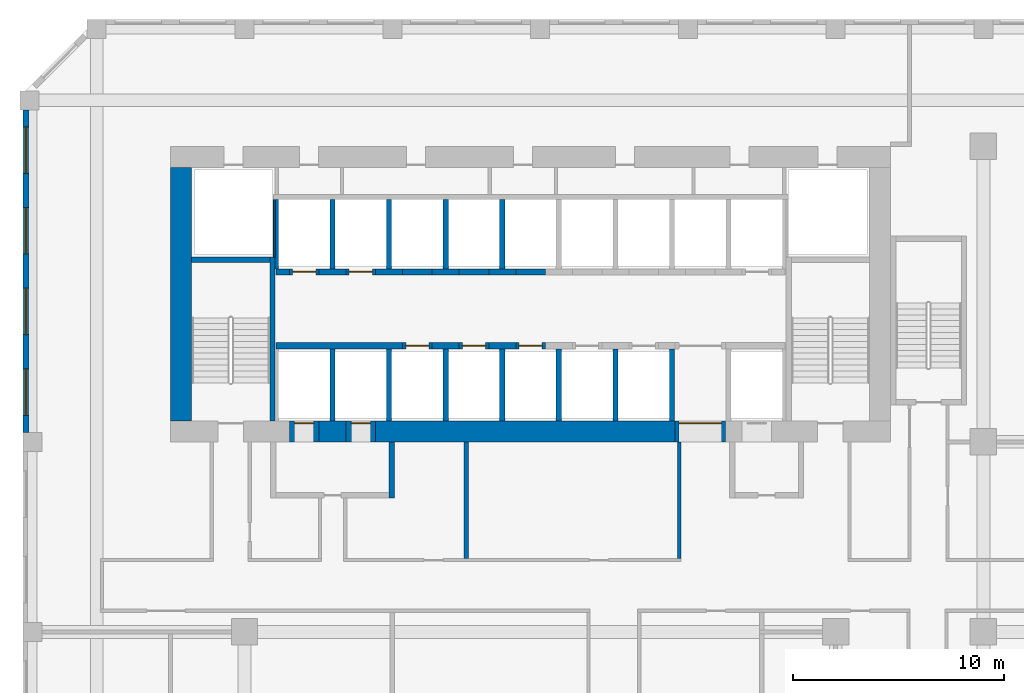
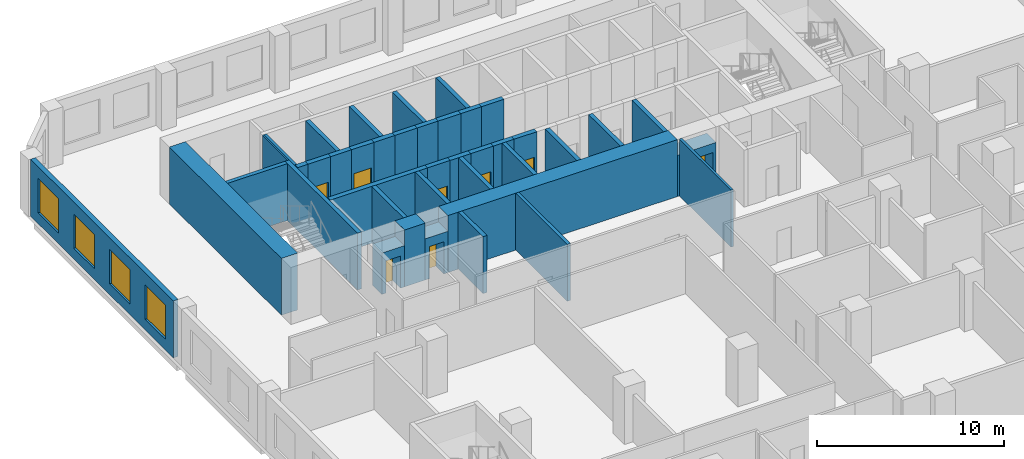
# One storey, part 15 of 28: 41 walls, 8 doors, 4 windows, 12 openings.
"""IFC4 building model written with IfcOpenShell, lengths in metres."""

import ifcopenshell
import ifcopenshell.guid

model = None  # the IFC model being written
_history = None  # IfcOwnerHistory: only IFC2X3 demands one
_inside = {}  # id of a spatial element -> (the spatial element, [elements in it])
_under = {}  # id of a project, library or spatial element -> (it, [spatial elements below it])
_declared = {}  # id of a project -> (the project, [libraries it declares])
_typed = {}  # id of a type object -> (the type object, [elements of that type])
_made_of = {}  # id of a material, layer set ... -> (it, [elements and type objects made of it])


def new_model(schema):
    """Start an empty IFC model of exactly this schema.

    Asked for "IFC4X3", IfcOpenShell would pick the latest addendum, in which some entities
    have other attributes; the version numbers below select the first issue.
    IFC2X3 requires an IfcOwnerHistory on every rooted entity: one is made here for all.
    """
    global model, _history
    if schema == "IFC4X3":
        model = ifcopenshell.file(schema_version=(4, 3, 0, 0))
    else:
        model = ifcopenshell.file(schema=schema)
    _inside.clear()
    _under.clear()
    _declared.clear()
    _typed.clear()
    _made_of.clear()
    _history = None
    if model.schema == "IFC2X3":
        org = make("IfcOrganization", Name="unknown")
        user = make(
            "IfcPersonAndOrganization",
            ThePerson=make("IfcPerson", FamilyName="unknown"),
            TheOrganization=org,
        )
        app = make(
            "IfcApplication",
            ApplicationDeveloper=org,
            Version="unknown",
            ApplicationFullName="unknown",
            ApplicationIdentifier="unknown",
        )
        _history = make(
            "IfcOwnerHistory",
            OwningUser=user,
            OwningApplication=app,
            ChangeAction="ADDED",
            CreationDate=0,
        )
    return model


def make(cls, **values):
    """One entity of the class cls with the attributes given. An attribute that is None is left unset."""
    return model.create_entity(
        cls, **{name: value for name, value in values.items() if value is not None}
    )


def rooted(cls, **values):
    """An entity with a GlobalId (a new one), such as an element, a storey or a relation."""
    return make(cls, GlobalId=ifcopenshell.guid.new(), OwnerHistory=_history, **values)


def si_unit(unit_type, name, prefix=None):
    """IfcSIUnit, for example si_unit("LENGTHUNIT", "METRE", prefix="MILLI")."""
    return make("IfcSIUnit", UnitType=unit_type, Prefix=prefix, Name=name)


def assignment(units):
    """IfcUnitAssignment: the units of a project."""
    return None if units is None else make("IfcUnitAssignment", Units=units)


def point(xyz):
    """IfcCartesianPoint."""
    return None if xyz is None else make("IfcCartesianPoint", Coordinates=xyz)


def direction(xyz):
    """IfcDirection."""
    return None if xyz is None else make("IfcDirection", DirectionRatios=xyz)


def frame(location, z_axis=None, x_axis=None):
    """IfcAxis2Placement3D, a coordinate frame: its origin and axes. An axis left out is left unset."""
    return make(
        "IfcAxis2Placement3D",
        Location=point(location),
        Axis=direction(z_axis),
        RefDirection=direction(x_axis),
    )


def frame_2d(location, x_axis=None):
    """IfcAxis2Placement2D, a coordinate frame in the plane: its origin and x axis."""
    return make(
        "IfcAxis2Placement2D", Location=point(location), RefDirection=direction(x_axis)
    )


def origin():
    """The frame at (0, 0, 0) with its axes left unset."""
    return frame((0.0, 0.0, 0.0))


def place(relative_to, where):
    """IfcLocalPlacement: puts the frame where relative to a parent placement (None: the world)."""
    return make(
        "IfcLocalPlacement", PlacementRelTo=relative_to, RelativePlacement=where
    )


def context(
    kind, dimensions, precision=None, world=None, true_north=None, identifier=None
):
    """IfcGeometricRepresentationContext, for example the 3D "Model" context."""
    return make(
        "IfcGeometricRepresentationContext",
        ContextIdentifier=identifier,
        ContextType=kind,
        CoordinateSpaceDimension=dimensions,
        Precision=precision,
        WorldCoordinateSystem=world,
        TrueNorth=true_north,
    )


def subcontext(parent, identifier, kind, view, scale=None):
    """IfcGeometricRepresentationSubContext, for example "Body" below "Model"."""
    return make(
        "IfcGeometricRepresentationSubContext",
        ContextIdentifier=identifier,
        ContextType=kind,
        ParentContext=parent,
        TargetScale=scale,
        TargetView=view,
    )


def project(units=None, contexts=None):
    """IfcProject with its units and contexts."""
    return rooted(
        "IfcProject",
        Name="project",
        RepresentationContexts=contexts,
        UnitsInContext=assignment(units),
    )


def spatial(cls, under=None, at=None, **own):
    """A site, building, storey or space (cls), placed at a placement, below another one or the project."""
    s = rooted(cls, ObjectPlacement=at, **own)
    if under is not None:
        _under.setdefault(under.id(), (under, []))[1].append(s)
    return s


def profile(cls, at=None, kind="AREA", **sizes):
    """A parametric profile (cls). Its sizes go by their IFC names, for example OverallWidth=200.0."""
    return make(cls, ProfileType=kind, Position=at, **sizes)


def rectangle(**sizes):
    """IfcRectangleProfileDef."""
    return profile("IfcRectangleProfileDef", **sizes)


def extrude(swept, where, along, depth):
    """IfcExtrudedAreaSolid: the profile swept, set in the frame where, extruded along a direction by depth."""
    return make(
        "IfcExtrudedAreaSolid",
        SweptArea=swept,
        Position=where,
        ExtrudedDirection=direction(along),
        Depth=depth,
    )


def shape(context_of_items, identifier, shape_type, items):
    """IfcShapeRepresentation: the items that make up one representation, for example the "Body"."""
    return make(
        "IfcShapeRepresentation",
        ContextOfItems=context_of_items,
        RepresentationIdentifier=identifier,
        RepresentationType=shape_type,
        Items=items,
    )


def source(mapping_origin, context_of_items, identifier, shape_type, items):
    """IfcRepresentationMap: a shape defined once, which mapped items show again and again."""
    return make(
        "IfcRepresentationMap",
        MappingOrigin=mapping_origin,
        MappedRepresentation=shape(context_of_items, identifier, shape_type, items),
    )


def transform(
    local_origin,
    x_axis=None,
    y_axis=None,
    z_axis=None,
    scale=None,
    scale2=None,
    scale3=None,
    uniform=True,
):
    """IfcCartesianTransformationOperator3D, or its non-uniform kind. x_axis, y_axis, z_axis: its Axis1, 2, 3."""
    if uniform:
        return make(
            "IfcCartesianTransformationOperator3D",
            Axis1=direction(x_axis),
            Axis2=direction(y_axis),
            LocalOrigin=point(local_origin),
            Scale=scale,
            Axis3=direction(z_axis),
        )
    return make(
        "IfcCartesianTransformationOperator3DnonUniform",
        Axis1=direction(x_axis),
        Axis2=direction(y_axis),
        LocalOrigin=point(local_origin),
        Scale=scale,
        Axis3=direction(z_axis),
        Scale2=scale2,
        Scale3=scale3,
    )


def mapped(mapping_source, mapping_target):
    """IfcMappedItem: shows the shape of a source again, moved by a transform."""
    return make(
        "IfcMappedItem", MappingSource=mapping_source, MappingTarget=mapping_target
    )


def material(Name=None, Category=None):
    """IfcMaterial."""
    return make("IfcMaterial", Name=Name, Category=Category)


def layer(
    of_material, thickness, ventilated=None, Name=None, Category=None, Priority=None
):
    """IfcMaterialLayer: one layer of a wall or slab, of a material (None: an air gap)."""
    return make(
        "IfcMaterialLayer",
        Material=of_material,
        LayerThickness=thickness,
        IsVentilated=ventilated,
        Name=Name,
        Category=Category,
        Priority=Priority,
    )


def layer_set(layers, Name=None):
    """IfcMaterialLayerSet."""
    return make("IfcMaterialLayerSet", MaterialLayers=layers, LayerSetName=Name)


def made_of(thing, what):
    """Note that an element or type object is made of a material, layer set ...; save() writes the relation."""
    if what is not None:
        _made_of.setdefault(what.id(), (what, []))[1].append(thing)
    return thing


def type_object(cls, material=None, **own):
    """A type object (cls), such as IfcWallType, which elements share."""
    return made_of(rooted(cls, **own), material)


def element(
    cls,
    number,
    at=None,
    inside=None,
    cuts=None,
    type_object=None,
    material=None,
    context=None,
    identifier="Body",
    shape_type=None,
    held_by="IfcProductDefinitionShape",
    body=None,
    shapes=None,
    **own,
):
    """One element of the class cls, such as IfcWall. Its Tag is "e" and its number.

    at: its placement. inside: the storey or other place that contains it. cuts: it is an
    opening in that element (IfcRelVoidsElement). A single representation is given by context,
    identifier, shape_type and body (its items); several are given by shapes. held_by: the class
    of the entity that holds the representations. save() writes the other relations.
    """
    e = rooted(cls, Tag="e%d" % number, ObjectPlacement=at, **own)
    if body is not None:
        shapes = [shape(context, identifier, shape_type, body)]
    if shapes is not None:
        e.Representation = make(held_by, Representations=shapes)
    if inside is not None:
        _inside.setdefault(inside.id(), (inside, []))[1].append(e)
    if cuts is not None:
        rooted(
            "IfcRelVoidsElement", RelatingBuildingElement=cuts, RelatedOpeningElement=e
        )
    if type_object is not None:
        _typed.setdefault(type_object.id(), (type_object, []))[1].append(e)
    return made_of(e, material)


def fill(opening, filler):
    """IfcRelFillsElement: the door or window that sits in an opening."""
    return rooted(
        "IfcRelFillsElement",
        RelatingOpeningElement=opening,
        RelatedBuildingElement=filler,
    )


def aggregate(whole, parts):
    """IfcRelAggregates: a whole, such as a stair, and the parts it consists of."""
    return rooted("IfcRelAggregates", RelatingObject=whole, RelatedObjects=parts)


def save(model, path):
    """Write the relations noted so far, then the file.

    IfcRelAggregates (storeys below a building ...), IfcRelContainedInSpatialStructure (elements
    in a storey), IfcRelDefinesByType, IfcRelAssociatesMaterial and IfcRelDeclares: one each for
    every whole, place, type object, material and project.
    """
    for whole, parts in _under.values():
        aggregate(whole, parts)
    for where, things in _inside.values():
        rooted(
            "IfcRelContainedInSpatialStructure",
            RelatedElements=things,
            RelatingStructure=where,
        )
    for kind, things in _typed.values():
        rooted("IfcRelDefinesByType", RelatedObjects=things, RelatingType=kind)
    for what, things in _made_of.values():
        rooted("IfcRelAssociatesMaterial", RelatedObjects=things, RelatingMaterial=what)
    for by, libraries in _declared.values():
        rooted("IfcRelDeclares", RelatingContext=by, RelatedDefinitions=libraries)
    model.write(path)


model = new_model("IFC4")

# Units and contexts
model_context = context("Model", 3, precision=1e-05, world=origin(), true_north=direction((0.0, 1.0)))
body_context = subcontext(model_context, "Body", "Model", "MODEL_VIEW")
ifc_project = project(units=[si_unit("LENGTHUNIT", "METRE"), si_unit("AREAUNIT", "SQUARE_METRE"), si_unit("VOLUMEUNIT", "CUBIC_METRE"), si_unit("PLANEANGLEUNIT", "RADIAN"), si_unit("MASSUNIT", "GRAM", prefix="KILO")], contexts=[model_context])

# Site, building, storey
site_placement = place(None, origin())
site = spatial("IfcSite", under=ifc_project, at=site_placement, CompositionType="ELEMENT")
building_placement = place(site_placement, origin())
building = spatial("IfcBuilding", under=site, at=building_placement, Name="Kilnfold Tower and Market Hall", CompositionType="ELEMENT")
storey_placement = place(building_placement, frame((0.0, 0.0, 87.199951171875)))
storey = spatial("IfcBuildingStorey", under=building, at=storey_placement, Name="L20", CompositionType="ELEMENT", Elevation=87.199951171875)

# Walls
ifc_material_1 = material(Name="Gypsum board on steel studs", Category="steel")
ifc_layer_1 = layer(ifc_material_1, 0.14990234375)
ifc_layer_set_1 = layer_set([ifc_layer_1], Name="Gypsum board on steel studs")
wall_type_1 = type_object("IfcWallType", Name="WALL CORRIDOR 150", PredefinedType="PARTITIONING", material=ifc_layer_set_1)
wall_1_placement = place(storey_placement, frame((8.090087890625, 8.0, 0.0), z_axis=(0.0, 0.0, 1.0), x_axis=(0.0, -1.0, 0.0)))
element("IfcWall", 1, at=wall_1_placement, inside=storey, type_object=wall_type_1, Name="Partition LY14.18", PredefinedType="PARTITIONING", context=body_context, shape_type="SweptSolid", body=[
    extrude(rectangle(XDim=5.52490234375, YDim=0.14990234375, at=frame_2d((2.762451171875, 0.0))), origin(), (0.0, 0.0, 1.0), 3.719970703125),
])
ifc_material_2 = material(Name="Gypsum board on steel studs", Category="steel")
ifc_layer_2 = layer(ifc_material_2, 0.199951171875)
ifc_layer_set_2 = layer_set([ifc_layer_2], Name="Gypsum board on steel studs")
wall_type_2 = type_object("IfcWallType", Name="WALL PARTY 200", PredefinedType="PARTITIONING", material=ifc_layer_set_2)
wall_2_placement = place(storey_placement, frame((-2.0, 2.47607421875, 0.0), z_axis=(0.0, 0.0, 1.0), x_axis=(0.0, 1.0, 0.0)))
element("IfcWall", 2, at=wall_2_placement, inside=storey, type_object=wall_type_2, Name="Partition LY14.58", PredefinedType="PARTITIONING", context=body_context, shape_type="SweptSolid", body=[
    extrude(rectangle(XDim=5.52392578125, YDim=0.199951171875, at=frame_2d((2.761962890625, 0.0))), origin(), (0.0, 0.0, 1.0), 3.719970703125),
])
ifc_material_3 = material(Name="Concrete C80", Category="concrete")
ifc_layer_3 = layer(ifc_material_3, 1.0)
ifc_layer_set_3 = layer_set([ifc_layer_3], Name="Concrete C80")
wall_type_3 = type_object("IfcWallType", Name="CORE WALL 1000 C80", PredefinedType="SHEAR", material=ifc_layer_set_3)
shared_shape_1 = source(origin(), body_context, "Body", "SweptSolid", [
    extrude(rectangle(XDim=1.280029296875, YDim=1.0, at=frame_2d((0.64013671875, 0.0))), origin(), (0.0, 0.0, 1.0), 3.719970703125),
])
wall_3_placement = place(storey_placement, frame((-8.969970703125, 8.5, 0.0), z_axis=(0.0, 0.0, 1.0), x_axis=(1.0, 0.0, 0.0)))
element("IfcWall", 3, at=wall_3_placement, inside=storey, type_object=wall_type_3, Name="Core outer wall south", PredefinedType="SHEAR", context=body_context, shape_type="MappedRepresentation", body=[
    mapped(shared_shape_1, transform((0.0, 0.0, 0.0))),
])
shared_shape_2 = source(origin(), body_context, "Body", "SweptSolid", [
    extrude(rectangle(XDim=14.179931640625, YDim=1.0, at=frame_2d((7.08984375, 0.0))), origin(), (0.0, 0.0, 1.0), 3.719970703125),
])
wall_4_placement = place(storey_placement, frame((-6.2900390625, 8.5, 0.0), z_axis=(0.0, 0.0, 1.0), x_axis=(1.0, 0.0, 0.0)))
element("IfcWall", 4, at=wall_4_placement, inside=storey, type_object=wall_type_3, Name="Core outer wall south", PredefinedType="SHEAR", context=body_context, shape_type="MappedRepresentation", body=[
    mapped(shared_shape_2, transform((0.0, 0.0, 0.0))),
])
shared_shape_3 = source(origin(), body_context, "Body", "SweptSolid", [
    extrude(rectangle(XDim=12.0, YDim=1.0, at=frame_2d((6.0, 0.0))), origin(), (0.0, 0.0, 1.0), 3.719970703125),
])
wall_5_placement = place(storey_placement, frame((-15.5, 9.0, 0.0), z_axis=(0.0, 0.0, 1.0), x_axis=(0.0, 1.0, 0.0)))
element("IfcWall", 5, at=wall_5_placement, inside=storey, type_object=wall_type_3, Name="Core outer wall west", PredefinedType="SHEAR", context=body_context, shape_type="MappedRepresentation", body=[
    mapped(shared_shape_3, transform((0.0, 0.0, 0.0))),
])
ifc_material_4 = material(Name="Concrete C80", Category="concrete")
ifc_layer_4 = layer(ifc_material_4, 0.25)
ifc_layer_set_4 = layer_set([ifc_layer_4], Name="Concrete C80")
wall_type_4 = type_object("IfcWallType", Name="CORE WALL 250 C80", PredefinedType="SHEAR", material=ifc_layer_set_4)
shared_shape_4 = source(origin(), body_context, "Body", "SweptSolid", [
    extrude(rectangle(XDim=7.75, YDim=0.25, at=frame_2d((3.875, 0.0))), origin(), (0.0, 0.0, 1.0), 3.719970703125),
])
wall_6_placement = place(storey_placement, frame((-11.175048828125, 9.0, 0.0), z_axis=(0.0, 0.0, 1.0), x_axis=(0.0, 1.0, 0.0)))
element("IfcWall", 6, at=wall_6_placement, inside=storey, type_object=wall_type_4, Name="Stair enclosure ST1", PredefinedType="SHEAR", context=body_context, shape_type="MappedRepresentation", body=[
    mapped(shared_shape_4, transform((0.0, 0.0, 0.0))),
])
shared_shape_5 = source(origin(), body_context, "Body", "SweptSolid", [
    extrude(rectangle(XDim=3.699951171875, YDim=0.25, at=frame_2d((1.85009765625, 0.0))), origin(), (0.0, 0.0, 1.0), 3.719970703125),
])
wall_7_placement = place(storey_placement, frame((-15.0, 16.625, 0.0), z_axis=(0.0, 0.0, 1.0), x_axis=(1.0, 0.0, 0.0)))
element("IfcWall", 7, at=wall_7_placement, inside=storey, type_object=wall_type_4, Name="Stair enclosure ST1", PredefinedType="SHEAR", context=body_context, shape_type="MappedRepresentation", body=[
    mapped(shared_shape_5, transform((0.0, 0.0, 0.0))),
])
ifc_material_5 = material(Name="Concrete C80", Category="concrete")
ifc_layer_5 = layer(ifc_material_5, 0.300048828125)
ifc_layer_set_5 = layer_set([ifc_layer_5], Name="Concrete C80")
wall_type_5 = type_object("IfcWallType", Name="CORE WALL 300 C80", PredefinedType="SHEAR", material=ifc_layer_set_5)
shared_shape_6 = source(origin(), body_context, "Body", "SweptSolid", [
    extrude(rectangle(XDim=6.0, YDim=0.300048828125, at=frame_2d((3.0, 0.0))), origin(), (0.0, 0.0, 1.0), 3.719970703125),
])
wall_8_placement = place(storey_placement, frame((-11.010009765625, 12.550048828125, 0.0), z_axis=(0.0, 0.0, 1.0), x_axis=(1.0, 0.0, 0.0)))
element("IfcWall", 8, at=wall_8_placement, inside=storey, type_object=wall_type_5, Name="Core spine wall", PredefinedType="SHEAR", context=body_context, shape_type="MappedRepresentation", body=[
    mapped(shared_shape_6, transform((0.0, 0.0, 0.0))),
])
shared_shape_7 = source(origin(), body_context, "Body", "SweptSolid", [
    extrude(rectangle(XDim=1.280029296875, YDim=0.300048828125, at=frame_2d((0.64013671875, 0.0))), origin(), (0.0, 0.0, 1.0), 3.719970703125),
])
for number, where, z_axis, x_axis, name in (
    (9, (-3.610107421875, 12.550048828125, 0.0), (0.0, 0.0, 1.0), (1.0, 0.0, 0.0), "Core spine wall"),
    (10, (-0.929931640625, 12.550048828125, 0.0), (0.0, 0.0, 1.0), (1.0, 0.0, 0.0), "Core spine wall"),
    (11, (-8.969970703125, 16.050048828125, 0.0), (0.0, 0.0, 1.0), (1.0, 0.0, 0.0), "Core spine wall"),
    (12, (-6.2900390625, 16.050048828125, 0.0), (0.0, 0.0, 1.0), (1.0, 0.0, 0.0), "Core spine wall"),
    (13, (-3.610107421875, 16.050048828125, 0.0), (0.0, 0.0, 1.0), (1.0, 0.0, 0.0), "Core spine wall"),
    (14, (-0.929931640625, 16.050048828125, 0.0), (0.0, 0.0, 1.0), (1.0, 0.0, 0.0), "Core spine wall"),
):
    element("IfcWall", number, at=place(storey_placement, frame(where, z_axis=z_axis, x_axis=x_axis)), inside=storey, type_object=wall_type_5, Name=name, PredefinedType="SHEAR", context=body_context, shape_type="MappedRepresentation", body=[
        mapped(shared_shape_7, transform((0.0, 0.0, 0.0))),
    ])
shared_shape_8 = source(origin(), body_context, "Body", "SweptSolid", [
    extrude(rectangle(XDim=0.639892578125, YDim=0.300048828125, at=frame_2d((0.31982421875, 0.0))), origin(), (0.0, 0.0, 1.0), 3.719970703125),
])
wall_9_placement = place(storey_placement, frame((-11.010009765625, 16.050048828125, 0.0), z_axis=(0.0, 0.0, 1.0), x_axis=(1.0, 0.0, 0.0)))
element("IfcWall", 15, at=wall_9_placement, inside=storey, type_object=wall_type_5, Name="Core spine wall", PredefinedType="SHEAR", context=body_context, shape_type="MappedRepresentation", body=[
    mapped(shared_shape_8, transform((0.0, 0.0, 0.0))),
])

# Wall, openings, windows
ifc_material_6 = material(Name="Precast concrete C50/60", Category="concrete")
ifc_layer_6 = layer(ifc_material_6, 0.300048828125)
ifc_layer_set_6 = layer_set([ifc_layer_6], Name="Precast concrete C50/60")
wall_type_6 = type_object("IfcWallType", Name="PRECAST WALL 300", PredefinedType="SOLIDWALL", material=ifc_layer_set_6)
shared_shape_9 = source(origin(), body_context, "Body", "SweptSolid", [
    extrude(rectangle(XDim=15.28173828125, YDim=0.300048828125, at=frame_2d((7.640869140625, 0.0))), origin(), (0.0, 0.0, 1.0), 3.719970703125),
])
wall_10_placement = place(storey_placement, frame((-22.85009765625, 23.731689453125, 0.0), z_axis=(0.0, 0.0, 1.0), x_axis=(0.0, -1.0, 0.0)))
wall_10 = element("IfcWall", 16, at=wall_10_placement, inside=storey, type_object=wall_type_6, Name="External wall L20 W", PredefinedType="SOLIDWALL", context=body_context, shape_type="MappedRepresentation", body=[
    mapped(shared_shape_9, transform((0.0, 0.0, 0.0))),
])
opening_1_placement = place(wall_10_placement, frame((0.810302734375, 0.0, 0.699951171875)))
opening_1 = element("IfcOpeningElement", 17, at=opening_1_placement, cuts=wall_10, Name="Opening W1", PredefinedType="OPENING", context=body_context, shape_type="SweptSolid", body=[
    extrude(rectangle(XDim=2.199951171875, YDim=2.25, at=frame_2d((1.10009765625, 1.125))), frame((0.0, 0.16015625, 0.0), z_axis=(0.0, -1.0, 0.0), x_axis=(1.0, 0.0, 0.0)), (0.0, 0.0, 1.0), 0.320068359375),
])
opening_2_placement = place(wall_10_placement, frame((4.630615234375, 0.0, 0.699951171875)))
opening_2 = element("IfcOpeningElement", 18, at=opening_2_placement, cuts=wall_10, Name="Opening W1", PredefinedType="OPENING", context=body_context, shape_type="SweptSolid", body=[
    extrude(rectangle(XDim=2.199951171875, YDim=2.25, at=frame_2d((1.10009765625, 1.125))), frame((0.0, 0.16015625, 0.0), z_axis=(0.0, -1.0, 0.0), x_axis=(1.0, 0.0, 0.0)), (0.0, 0.0, 1.0), 0.320068359375),
])
opening_3_placement = place(wall_10_placement, frame((8.451171875, 0.0, 0.699951171875)))
opening_3 = element("IfcOpeningElement", 19, at=opening_3_placement, cuts=wall_10, Name="Opening W1", PredefinedType="OPENING", context=body_context, shape_type="SweptSolid", body=[
    extrude(rectangle(XDim=2.199951171875, YDim=2.25, at=frame_2d((1.10009765625, 1.125))), frame((0.0, 0.16015625, 0.0), z_axis=(0.0, -1.0, 0.0), x_axis=(1.0, 0.0, 0.0)), (0.0, 0.0, 1.0), 0.320068359375),
])
opening_4_placement = place(wall_10_placement, frame((12.271484375, 0.0, 0.699951171875)))
opening_4 = element("IfcOpeningElement", 20, at=opening_4_placement, cuts=wall_10, Name="Opening W1", PredefinedType="OPENING", context=body_context, shape_type="SweptSolid", body=[
    extrude(rectangle(XDim=2.199951171875, YDim=2.25, at=frame_2d((1.10009765625, 1.125))), frame((0.0, 0.16015625, 0.0), z_axis=(0.0, -1.0, 0.0), x_axis=(1.0, 0.0, 0.0)), (0.0, 0.0, 1.0), 0.320068359375),
])
ifc_material_7 = material(Name="Aluminium frame and double glazing", Category="aluminium")
window_type = type_object("IfcWindowType", Name="WINDOW W1 2200X2250", PartitioningType="SINGLE_PANEL", PredefinedType="WINDOW", material=ifc_material_7)
window_1_placement = place(opening_1_placement, origin())
window_1 = element("IfcWindow", 21, at=window_1_placement, inside=storey, type_object=window_type, Name="Window W1 L20 W-1", OverallHeight=2.25, OverallWidth=2.199951171875, PartitioningType="SINGLE_PANEL", PredefinedType="WINDOW", context=body_context, shape_type="SweptSolid", body=[
    extrude(rectangle(XDim=2.199951171875, YDim=2.25, at=frame_2d((1.10009765625, 1.125))), frame((0.0, 0.030029296875, 0.0), z_axis=(0.0, -1.0, 0.0), x_axis=(1.0, 0.0, 0.0)), (0.0, 0.0, 1.0), 0.06005859375),
])
fill(opening_1, window_1)
window_2_placement = place(opening_2_placement, origin())
window_2 = element("IfcWindow", 22, at=window_2_placement, inside=storey, type_object=window_type, Name="Window W1 L20 W-2", OverallHeight=2.25, OverallWidth=2.199951171875, PartitioningType="SINGLE_PANEL", PredefinedType="WINDOW", context=body_context, shape_type="SweptSolid", body=[
    extrude(rectangle(XDim=2.199951171875, YDim=2.25, at=frame_2d((1.10009765625, 1.125))), frame((0.0, 0.030029296875, 0.0), z_axis=(0.0, -1.0, 0.0), x_axis=(1.0, 0.0, 0.0)), (0.0, 0.0, 1.0), 0.06005859375),
])
fill(opening_2, window_2)
window_3_placement = place(opening_3_placement, origin())
window_3 = element("IfcWindow", 23, at=window_3_placement, inside=storey, type_object=window_type, Name="Window W1 L20 W-3", OverallHeight=2.25, OverallWidth=2.199951171875, PartitioningType="SINGLE_PANEL", PredefinedType="WINDOW", context=body_context, shape_type="SweptSolid", body=[
    extrude(rectangle(XDim=2.199951171875, YDim=2.25, at=frame_2d((1.10009765625, 1.125))), frame((0.0, 0.030029296875, 0.0), z_axis=(0.0, -1.0, 0.0), x_axis=(1.0, 0.0, 0.0)), (0.0, 0.0, 1.0), 0.06005859375),
])
fill(opening_3, window_3)
window_4_placement = place(opening_4_placement, origin())
window_4 = element("IfcWindow", 24, at=window_4_placement, inside=storey, type_object=window_type, Name="Window W1 L20 W-4", OverallHeight=2.25, OverallWidth=2.199951171875, PartitioningType="SINGLE_PANEL", PredefinedType="WINDOW", context=body_context, shape_type="SweptSolid", body=[
    extrude(rectangle(XDim=2.199951171875, YDim=2.25, at=frame_2d((1.10009765625, 1.125))), frame((0.0, 0.030029296875, 0.0), z_axis=(0.0, -1.0, 0.0), x_axis=(1.0, 0.0, 0.0)), (0.0, 0.0, 1.0), 0.06005859375),
])
fill(opening_4, window_4)

# Wall, opening, door
ifc_material_8 = material(Name="Gypsum shaft wall system")
ifc_layer_7 = layer(ifc_material_8, 1.0)
ifc_layer_set_7 = layer_set([ifc_layer_7], Name="Gypsum shaft wall system")
wall_type_7 = type_object("IfcWallType", Name="LOBBY WALL 1000", PredefinedType="PARTITIONING", material=ifc_layer_set_7)
shared_shape_10 = source(origin(), body_context, "Body", "SweptSolid", [
    extrude(rectangle(XDim=1.400146484375, YDim=1.0, at=frame_2d((0.7001953125, 0.0))), origin(), (0.0, 0.0, 1.0), 2.699951171875),
])
wall_11_placement = place(storey_placement, frame((-10.3701171875, 8.5, 0.0), z_axis=(0.0, 0.0, 1.0), x_axis=(1.0, 0.0, 0.0)))
wall_11 = element("IfcWall", 25, at=wall_11_placement, inside=storey, type_object=wall_type_7, Name="Core wall infill", PredefinedType="PARTITIONING", context=body_context, shape_type="MappedRepresentation", body=[
    mapped(shared_shape_10, transform((0.0, 0.0, 0.0))),
])
opening_5_placement = place(wall_11_placement, frame((0.25, 0.0, 0.0)))
opening_5 = element("IfcOpeningElement", 26, at=opening_5_placement, cuts=wall_11, Name="Opening LD1", PredefinedType="OPENING", context=body_context, shape_type="SweptSolid", body=[
    extrude(rectangle(XDim=0.89990234375, YDim=2.10009765625, at=frame_2d((0.449951171875, 1.050048828125))), frame((0.0, 0.510009765625, 0.0), z_axis=(0.0, -1.0, 0.0), x_axis=(1.0, 0.0, 0.0)), (0.0, 0.0, 1.0), 1.02001953125),
])
ifc_material_9 = material(Name="Steel door set with fire-resisting leaf", Category="steel")
door_type_1 = type_object("IfcDoorType", Name="FIREFIGHTING LANDING DOOR 900X2100", OperationType="NOTDEFINED", PredefinedType="DOOR", material=ifc_material_9)
door_1_placement = place(opening_5_placement, origin())
door_1 = element("IfcDoor", 27, at=door_1_placement, inside=storey, type_object=door_type_1, Name="Landing door FF1", OperationType="SLIDING_TO_LEFT", OverallHeight=2.10009765625, OverallWidth=0.89990234375, PredefinedType="DOOR", context=body_context, shape_type="SweptSolid", body=[
    extrude(rectangle(XDim=0.89990234375, YDim=2.10009765625, at=frame_2d((0.449951171875, 1.050048828125))), frame((0.0, 0.40478515625, 0.0), z_axis=(0.0, -1.0, 0.0), x_axis=(1.0, 0.0, 0.0)), (0.0, 0.0, 1.0), 0.050048828125),
])
fill(opening_5, door_1)

shared_shape_11 = source(origin(), body_context, "Body", "SweptSolid", [
    extrude(rectangle(XDim=1.39990234375, YDim=1.0, at=frame_2d((0.699951171875, 0.0))), origin(), (0.0, 0.0, 1.0), 2.699951171875),
])
wall_12_placement = place(storey_placement, frame((-7.68994140625, 8.5, 0.0), z_axis=(0.0, 0.0, 1.0), x_axis=(1.0, 0.0, 0.0)))
wall_12 = element("IfcWall", 28, at=wall_12_placement, inside=storey, type_object=wall_type_7, Name="Core wall infill", PredefinedType="PARTITIONING", context=body_context, shape_type="MappedRepresentation", body=[
    mapped(shared_shape_11, transform((0.0, 0.0, 0.0))),
])
opening_6_placement = place(wall_12_placement, frame((0.25, 0.0, 0.0)))
opening_6 = element("IfcOpeningElement", 29, at=opening_6_placement, cuts=wall_12, Name="Opening LD1", PredefinedType="OPENING", context=body_context, shape_type="SweptSolid", body=[
    extrude(rectangle(XDim=0.89990234375, YDim=2.10009765625, at=frame_2d((0.449951171875, 1.050048828125))), frame((0.0, 0.510009765625, 0.0), z_axis=(0.0, -1.0, 0.0), x_axis=(1.0, 0.0, 0.0)), (0.0, 0.0, 1.0), 1.02001953125),
])
door_2_placement = place(opening_6_placement, origin())
door_2 = element("IfcDoor", 30, at=door_2_placement, inside=storey, type_object=door_type_1, Name="Landing door FF2", OperationType="SLIDING_TO_RIGHT", OverallHeight=2.10009765625, OverallWidth=0.89990234375, PredefinedType="DOOR", context=body_context, shape_type="SweptSolid", body=[
    extrude(rectangle(XDim=0.89990234375, YDim=2.10009765625, at=frame_2d((0.449951171875, 1.050048828125))), frame((0.0, 0.40478515625, 0.0), z_axis=(0.0, -1.0, 0.0), x_axis=(1.0, 0.0, 0.0)), (0.0, 0.0, 1.0), 0.050048828125),
])
fill(opening_6, door_2)

shared_shape_12 = source(origin(), body_context, "Body", "SweptSolid", [
    extrude(rectangle(XDim=2.400146484375, YDim=1.0, at=frame_2d((1.2001953125, 0.0))), origin(), (0.0, 0.0, 1.0), 2.699951171875),
])
wall_13_placement = place(storey_placement, frame((7.889892578125, 8.5, 0.0), z_axis=(0.0, 0.0, 1.0), x_axis=(1.0, 0.0, 0.0)))
wall_13 = element("IfcWall", 31, at=wall_13_placement, inside=storey, type_object=wall_type_7, Name="Core wall infill", PredefinedType="PARTITIONING", context=body_context, shape_type="MappedRepresentation", body=[
    mapped(shared_shape_12, transform((0.0, 0.0, 0.0))),
])
opening_7_placement = place(wall_13_placement, frame((0.199951171875, 0.0, 0.0)))
opening_7 = element("IfcOpeningElement", 32, at=opening_7_placement, cuts=wall_13, Name="Opening VD2", PredefinedType="OPENING", context=body_context, shape_type="SweptSolid", body=[
    extrude(rectangle(XDim=2.0, YDim=2.10009765625, at=frame_2d((1.0, 1.050048828125))), frame((0.0, 0.510009765625, 0.0), z_axis=(0.0, -1.0, 0.0), x_axis=(1.0, 0.0, 0.0)), (0.0, 0.0, 1.0), 1.02001953125),
])
ifc_material_10 = material(Name="Steel door set with fire-resisting leaf", Category="steel")
door_type_2 = type_object("IfcDoorType", Name="LIFT LOBBY ENTRANCE DOOR 2000X2100", OperationType="NOTDEFINED", PredefinedType="DOOR", material=ifc_material_10)
door_3_placement = place(opening_7_placement, origin())
door_3 = element("IfcDoor", 33, at=door_3_placement, inside=storey, type_object=door_type_2, Name="Lift lobby entrance door", OperationType="DOUBLE_DOOR_SINGLE_SWING", OverallHeight=2.10009765625, OverallWidth=2.0, PredefinedType="DOOR", context=body_context, shape_type="SweptSolid", body=[
    extrude(rectangle(XDim=2.0, YDim=2.10009765625, at=frame_2d((1.0, 1.050048828125))), frame((0.0, 0.40478515625, 0.0), z_axis=(0.0, -1.0, 0.0), x_axis=(1.0, 0.0, 0.0)), (0.0, 0.0, 1.0), 0.050048828125),
])
fill(opening_7, door_3)

ifc_material_11 = material(Name="Gypsum shaft wall system")
ifc_layer_8 = layer(ifc_material_11, 0.300048828125)
ifc_layer_set_8 = layer_set([ifc_layer_8], Name="Gypsum shaft wall system")
wall_type_8 = type_object("IfcWallType", Name="SHAFT WALL 300", PredefinedType="PARTITIONING", material=ifc_layer_set_8)
shared_shape_13 = source(origin(), body_context, "Body", "SweptSolid", [
    extrude(rectangle(XDim=1.39990234375, YDim=0.300048828125, at=frame_2d((0.699951171875, 0.0))), origin(), (0.0, 0.0, 1.0), 3.719970703125),
])
wall_14_placement = place(storey_placement, frame((-5.010009765625, 12.550048828125, 0.0), z_axis=(0.0, 0.0, 1.0), x_axis=(1.0, 0.0, 0.0)))
wall_14 = element("IfcWall", 34, at=wall_14_placement, inside=storey, type_object=wall_type_8, Name="Lift shaft front wall", PredefinedType="PARTITIONING", context=body_context, shape_type="MappedRepresentation", body=[
    mapped(shared_shape_13, transform((0.0, 0.0, 0.0))),
])
opening_8_placement = place(wall_14_placement, frame((0.14990234375, 0.0, 0.0)))
opening_8 = element("IfcOpeningElement", 35, at=opening_8_placement, cuts=wall_14, Name="Opening LD2", PredefinedType="OPENING", context=body_context, shape_type="SweptSolid", body=[
    extrude(rectangle(XDim=1.10009765625, YDim=2.10009765625, at=frame_2d((0.550048828125, 1.050048828125))), frame((0.0, 0.16015625, 0.0), z_axis=(0.0, -1.0, 0.0), x_axis=(1.0, 0.0, 0.0)), (0.0, 0.0, 1.0), 0.320068359375),
])
ifc_material_12 = material(Name="Steel door set with fire-resisting leaf", Category="steel")
door_type_3 = type_object("IfcDoorType", Name="LANDING DOOR 1100X2100", OperationType="NOTDEFINED", PredefinedType="DOOR", material=ifc_material_12)
door_4_placement = place(opening_8_placement, origin())
door_4 = element("IfcDoor", 36, at=door_4_placement, inside=storey, type_object=door_type_3, Name="Landing door LR1", OperationType="DOUBLE_DOOR_SLIDING", OverallHeight=2.10009765625, OverallWidth=1.10009765625, PredefinedType="DOOR", context=body_context, shape_type="SweptSolid", body=[
    extrude(rectangle(XDim=1.10009765625, YDim=2.10009765625, at=frame_2d((0.550048828125, 1.050048828125))), frame((0.0, 0.02490234375, 0.0), z_axis=(0.0, -1.0, 0.0), x_axis=(1.0, 0.0, 0.0)), (0.0, 0.0, 1.0), 0.050048828125),
])
fill(opening_8, door_4)

wall_15_placement = place(storey_placement, frame((0.35009765625, 12.550048828125, 0.0), z_axis=(0.0, 0.0, 1.0), x_axis=(1.0, 0.0, 0.0)))
wall_15 = element("IfcWall", 37, at=wall_15_placement, inside=storey, type_object=wall_type_8, Name="Lift shaft front wall", PredefinedType="PARTITIONING", context=body_context, shape_type="MappedRepresentation", body=[
    mapped(shared_shape_13, transform((0.0, 0.0, 0.0))),
])
opening_9_placement = place(wall_15_placement, frame((0.14990234375, 0.0, 0.0)))
opening_9 = element("IfcOpeningElement", 38, at=opening_9_placement, cuts=wall_15, Name="Opening LD2", PredefinedType="OPENING", context=body_context, shape_type="SweptSolid", body=[
    extrude(rectangle(XDim=1.10009765625, YDim=2.10009765625, at=frame_2d((0.550048828125, 1.050048828125))), frame((0.0, 0.16015625, 0.0), z_axis=(0.0, -1.0, 0.0), x_axis=(1.0, 0.0, 0.0)), (0.0, 0.0, 1.0), 0.320068359375),
])
door_5_placement = place(opening_9_placement, origin())
door_5 = element("IfcDoor", 39, at=door_5_placement, inside=storey, type_object=door_type_3, Name="Landing door LR3", OperationType="DOUBLE_DOOR_SLIDING", OverallHeight=2.10009765625, OverallWidth=1.10009765625, PredefinedType="DOOR", context=body_context, shape_type="SweptSolid", body=[
    extrude(rectangle(XDim=1.10009765625, YDim=2.10009765625, at=frame_2d((0.550048828125, 1.050048828125))), frame((0.0, 0.02490234375, 0.0), z_axis=(0.0, -1.0, 0.0), x_axis=(1.0, 0.0, 0.0)), (0.0, 0.0, 1.0), 0.050048828125),
])
fill(opening_9, door_5)

wall_16_placement = place(storey_placement, frame((-7.68994140625, 16.050048828125, 0.0), z_axis=(0.0, 0.0, 1.0), x_axis=(1.0, 0.0, 0.0)))
wall_16 = element("IfcWall", 40, at=wall_16_placement, inside=storey, type_object=wall_type_8, Name="Lift shaft front wall", PredefinedType="PARTITIONING", context=body_context, shape_type="MappedRepresentation", body=[
    mapped(shared_shape_13, transform((0.0, 0.0, 0.0))),
])
opening_10_placement = place(wall_16_placement, frame((0.14990234375, 0.0, 0.0)))
opening_10 = element("IfcOpeningElement", 41, at=opening_10_placement, cuts=wall_16, Name="Opening LD2", PredefinedType="OPENING", context=body_context, shape_type="SweptSolid", body=[
    extrude(rectangle(XDim=1.10009765625, YDim=2.10009765625, at=frame_2d((0.550048828125, 1.050048828125))), frame((0.0, 0.16015625, 0.0), z_axis=(0.0, -1.0, 0.0), x_axis=(1.0, 0.0, 0.0)), (0.0, 0.0, 1.0), 0.320068359375),
])
door_6_placement = place(opening_10_placement, origin())
door_6 = element("IfcDoor", 42, at=door_6_placement, inside=storey, type_object=door_type_3, Name="Landing door LR8", OperationType="DOUBLE_DOOR_SLIDING", OverallHeight=2.10009765625, OverallWidth=1.10009765625, PredefinedType="DOOR", context=body_context, shape_type="SweptSolid", body=[
    extrude(rectangle(XDim=1.10009765625, YDim=2.10009765625, at=frame_2d((0.550048828125, 1.050048828125))), frame((0.0, 0.02490234375, 0.0), z_axis=(0.0, -1.0, 0.0), x_axis=(1.0, 0.0, 0.0)), (0.0, 0.0, 1.0), 0.050048828125),
])
fill(opening_10, door_6)

# Walls
for number, where, z_axis, x_axis, name in (
    (43, (-5.010009765625, 16.050048828125, 0.0), (0.0, 0.0, 1.0), (1.0, 0.0, 0.0), "Lift shaft front wall"),
    (44, (0.35009765625, 16.050048828125, 0.0), (0.0, 0.0, 1.0), (1.0, 0.0, 0.0), "Lift shaft front wall"),
):
    element("IfcWall", number, at=place(storey_placement, frame(where, z_axis=z_axis, x_axis=x_axis)), inside=storey, type_object=wall_type_8, Name=name, PredefinedType="PARTITIONING", context=body_context, shape_type="MappedRepresentation", body=[
        mapped(shared_shape_13, transform((0.0, 0.0, 0.0))),
    ])

# Wall, opening, door
shared_shape_14 = source(origin(), body_context, "Body", "SweptSolid", [
    extrude(rectangle(XDim=1.400146484375, YDim=0.300048828125, at=frame_2d((0.7001953125, 0.0))), origin(), (0.0, 0.0, 1.0), 3.719970703125),
])
wall_17_placement = place(storey_placement, frame((-2.330078125, 12.550048828125, 0.0), z_axis=(0.0, 0.0, 1.0), x_axis=(1.0, 0.0, 0.0)))
wall_17 = element("IfcWall", 45, at=wall_17_placement, inside=storey, type_object=wall_type_8, Name="Lift shaft front wall", PredefinedType="PARTITIONING", context=body_context, shape_type="MappedRepresentation", body=[
    mapped(shared_shape_14, transform((0.0, 0.0, 0.0))),
])
opening_11_placement = place(wall_17_placement, frame((0.14990234375, 0.0, 0.0)))
opening_11 = element("IfcOpeningElement", 46, at=opening_11_placement, cuts=wall_17, Name="Opening LD2", PredefinedType="OPENING", context=body_context, shape_type="SweptSolid", body=[
    extrude(rectangle(XDim=1.10009765625, YDim=2.10009765625, at=frame_2d((0.550048828125, 1.050048828125))), frame((0.0, 0.16015625, 0.0), z_axis=(0.0, -1.0, 0.0), x_axis=(1.0, 0.0, 0.0)), (0.0, 0.0, 1.0), 0.320068359375),
])
door_7_placement = place(opening_11_placement, origin())
door_7 = element("IfcDoor", 47, at=door_7_placement, inside=storey, type_object=door_type_3, Name="Landing door LR2", OperationType="DOUBLE_DOOR_SLIDING", OverallHeight=2.10009765625, OverallWidth=1.10009765625, PredefinedType="DOOR", context=body_context, shape_type="SweptSolid", body=[
    extrude(rectangle(XDim=1.10009765625, YDim=2.10009765625, at=frame_2d((0.550048828125, 1.050048828125))), frame((0.0, 0.02490234375, 0.0), z_axis=(0.0, -1.0, 0.0), x_axis=(1.0, 0.0, 0.0)), (0.0, 0.0, 1.0), 0.050048828125),
])
fill(opening_11, door_7)

wall_18_placement = place(storey_placement, frame((-10.3701171875, 16.050048828125, 0.0), z_axis=(0.0, 0.0, 1.0), x_axis=(1.0, 0.0, 0.0)))
wall_18 = element("IfcWall", 48, at=wall_18_placement, inside=storey, type_object=wall_type_8, Name="Lift shaft front wall", PredefinedType="PARTITIONING", context=body_context, shape_type="MappedRepresentation", body=[
    mapped(shared_shape_14, transform((0.0, 0.0, 0.0))),
])
opening_12_placement = place(wall_18_placement, frame((0.14990234375, 0.0, 0.0)))
opening_12 = element("IfcOpeningElement", 49, at=opening_12_placement, cuts=wall_18, Name="Opening LD2", PredefinedType="OPENING", context=body_context, shape_type="SweptSolid", body=[
    extrude(rectangle(XDim=1.10009765625, YDim=2.10009765625, at=frame_2d((0.550048828125, 1.050048828125))), frame((0.0, 0.16015625, 0.0), z_axis=(0.0, -1.0, 0.0), x_axis=(1.0, 0.0, 0.0)), (0.0, 0.0, 1.0), 0.320068359375),
])
door_8_placement = place(opening_12_placement, origin())
door_8 = element("IfcDoor", 50, at=door_8_placement, inside=storey, type_object=door_type_3, Name="Landing door LR7", OperationType="DOUBLE_DOOR_SLIDING", OverallHeight=2.10009765625, OverallWidth=1.10009765625, PredefinedType="DOOR", context=body_context, shape_type="SweptSolid", body=[
    extrude(rectangle(XDim=1.10009765625, YDim=2.10009765625, at=frame_2d((0.550048828125, 1.050048828125))), frame((0.0, 0.02490234375, 0.0), z_axis=(0.0, -1.0, 0.0), x_axis=(1.0, 0.0, 0.0)), (0.0, 0.0, 1.0), 0.050048828125),
])
fill(opening_12, door_8)

# Walls
wall_19_placement = place(storey_placement, frame((-2.330078125, 16.050048828125, 0.0), z_axis=(0.0, 0.0, 1.0), x_axis=(1.0, 0.0, 0.0)))
element("IfcWall", 51, at=wall_19_placement, inside=storey, type_object=wall_type_8, Name="Lift shaft front wall", PredefinedType="PARTITIONING", context=body_context, shape_type="MappedRepresentation", body=[
    mapped(shared_shape_14, transform((0.0, 0.0, 0.0))),
])
ifc_material_13 = material(Name="Gypsum shaft wall system")
ifc_layer_9 = layer(ifc_material_13, 0.25)
ifc_layer_set_9 = layer_set([ifc_layer_9], Name="Gypsum shaft wall system")
wall_type_9 = type_object("IfcWallType", Name="LOBBY WALL 250", PredefinedType="PARTITIONING", material=ifc_layer_set_9)
shared_shape_15 = source(origin(), body_context, "Body", "SweptSolid", [
    extrude(rectangle(XDim=2.64990234375, YDim=0.25, at=frame_2d((1.324951171875, 0.0))), origin(), (0.0, 0.0, 1.0), 3.719970703125),
])
wall_20_placement = place(storey_placement, frame((-5.52490234375, 5.35009765625, 0.0), z_axis=(0.0, 0.0, 1.0), x_axis=(0.0, 1.0, 0.0)))
element("IfcWall", 52, at=wall_20_placement, inside=storey, type_object=wall_type_9, Name="Firefighting lobby wall", PredefinedType="PARTITIONING", context=body_context, shape_type="MappedRepresentation", body=[
    mapped(shared_shape_15, transform((0.0, 0.0, 0.0))),
])
ifc_material_14 = material(Name="Gypsum shaft wall system")
ifc_layer_10 = layer(ifc_material_14, 0.1650390625)
ifc_layer_set_10 = layer_set([ifc_layer_10], Name="Gypsum shaft wall system")
wall_type_10 = type_object("IfcWallType", Name="SHAFT WALL 165", PredefinedType="PARTITIONING", material=ifc_layer_set_10)
shared_shape_16 = source(origin(), body_context, "Body", "SweptSolid", [
    extrude(rectangle(XDim=3.275146484375, YDim=0.1650390625, at=frame_2d((1.6376953125, 0.0))), origin(), (0.0, 0.0, 1.0), 3.719970703125),
])
wall_21_placement = place(storey_placement, frame((-10.967529296875, 16.199951171875, 0.0), z_axis=(0.0, 0.0, 1.0), x_axis=(0.0, 1.0, 0.0)))
element("IfcWall", 53, at=wall_21_placement, inside=storey, type_object=wall_type_10, Name="Lift shaft wall", PredefinedType="PARTITIONING", context=body_context, shape_type="MappedRepresentation", body=[
    mapped(shared_shape_16, transform((0.0, 0.0, 0.0))),
])
ifc_material_15 = material(Name="Gypsum shaft wall system")
ifc_layer_11 = layer(ifc_material_15, 0.25)
ifc_layer_set_11 = layer_set([ifc_layer_11], Name="Gypsum shaft wall system")
wall_type_11 = type_object("IfcWallType", Name="SHAFT WALL 250", PredefinedType="PARTITIONING", material=ifc_layer_set_11)
shared_shape_17 = source(origin(), body_context, "Body", "SweptSolid", [
    extrude(rectangle(XDim=3.275146484375, YDim=0.25, at=frame_2d((1.6376953125, 0.0))), origin(), (0.0, 0.0, 1.0), 3.719970703125),
])
for number, where, z_axis, x_axis, name in (
    (54, (-0.2900390625, 16.199951171875, 0.0), (0.0, 0.0, 1.0), (0.0, 1.0, 0.0), "Lift shaft wall"),
    (55, (-2.969970703125, 16.199951171875, 0.0), (0.0, 0.0, 1.0), (0.0, 1.0, 0.0), "Lift shaft wall"),
    (56, (-5.64990234375, 16.199951171875, 0.0), (0.0, 0.0, 1.0), (0.0, 1.0, 0.0), "Lift shaft wall"),
    (57, (-8.330078125, 16.199951171875, 0.0), (0.0, 0.0, 1.0), (0.0, 1.0, 0.0), "Lift shaft wall"),
):
    element("IfcWall", number, at=place(storey_placement, frame(where, z_axis=z_axis, x_axis=x_axis)), inside=storey, type_object=wall_type_11, Name=name, PredefinedType="PARTITIONING", context=body_context, shape_type="MappedRepresentation", body=[
        mapped(shared_shape_17, transform((0.0, 0.0, 0.0))),
    ])
ifc_material_16 = material(Name="Gypsum shaft wall system")
ifc_layer_12 = layer(ifc_material_16, 0.0849609375)
ifc_layer_set_12 = layer_set([ifc_layer_12], Name="Gypsum shaft wall system")
wall_type_12 = type_object("IfcWallType", Name="SHAFT WALL 85", PredefinedType="PARTITIONING", material=ifc_layer_set_12)
shared_shape_18 = source(origin(), body_context, "Body", "SweptSolid", [
    extrude(rectangle(XDim=2.72509765625, YDim=0.0849609375, at=frame_2d((1.362548828125, 0.0))), origin(), (0.0, 0.0, 1.0), 3.719970703125),
])
wall_22_placement = place(storey_placement, frame((-11.092529296875, 16.75, 0.0), z_axis=(0.0, 0.0, 1.0), x_axis=(0.0, 1.0, 0.0)))
element("IfcWall", 58, at=wall_22_placement, inside=storey, type_object=wall_type_12, Name="Lift shaft wall", PredefinedType="PARTITIONING", context=body_context, shape_type="MappedRepresentation", body=[
    mapped(shared_shape_18, transform((0.0, 0.0, 0.0))),
])
shared_shape_19 = source(origin(), body_context, "Body", "SweptSolid", [
    extrude(rectangle(XDim=3.39990234375, YDim=0.25, at=frame_2d((1.699951171875, 0.0))), origin(), (0.0, 0.0, 1.0), 3.719970703125),
])
for number, where, z_axis, x_axis, name in (
    (59, (2.389892578125, 9.0, 0.0), (0.0, 0.0, 1.0), (0.0, 1.0, 0.0), "Lift shaft wall"),
    (60, (5.070068359375, 9.0, 0.0), (0.0, 0.0, 1.0), (0.0, 1.0, 0.0), "Lift shaft wall"),
    (61, (7.75, 9.0, 0.0), (0.0, 0.0, 1.0), (0.0, 1.0, 0.0), "Lift shaft wall"),
    (62, (-0.2900390625, 9.0, 0.0), (0.0, 0.0, 1.0), (0.0, 1.0, 0.0), "Lift shaft wall"),
    (63, (-2.969970703125, 9.0, 0.0), (0.0, 0.0, 1.0), (0.0, 1.0, 0.0), "Lift shaft wall"),
    (64, (-5.64990234375, 9.0, 0.0), (0.0, 0.0, 1.0), (0.0, 1.0, 0.0), "Lift shaft wall"),
    (65, (-8.330078125, 9.0, 0.0), (0.0, 0.0, 1.0), (0.0, 1.0, 0.0), "Lift shaft wall"),
):
    element("IfcWall", number, at=place(storey_placement, frame(where, z_axis=z_axis, x_axis=x_axis)), inside=storey, type_object=wall_type_11, Name=name, PredefinedType="PARTITIONING", context=body_context, shape_type="MappedRepresentation", body=[
        mapped(shared_shape_19, transform((0.0, 0.0, 0.0))),
    ])

save(model, "model.ifc")
